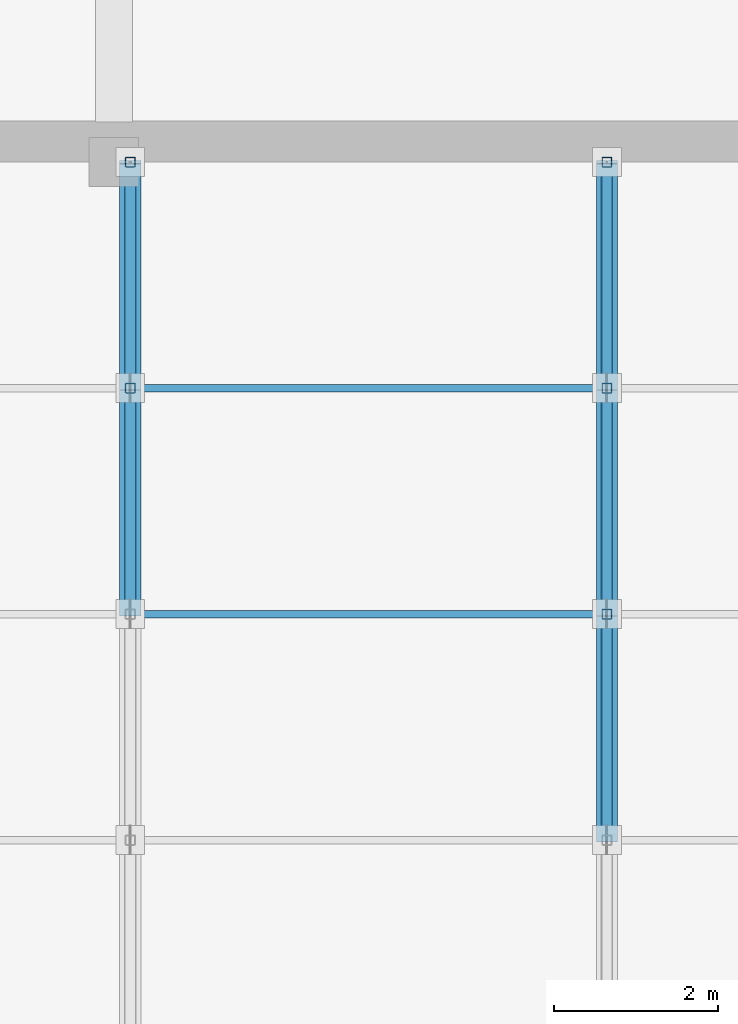
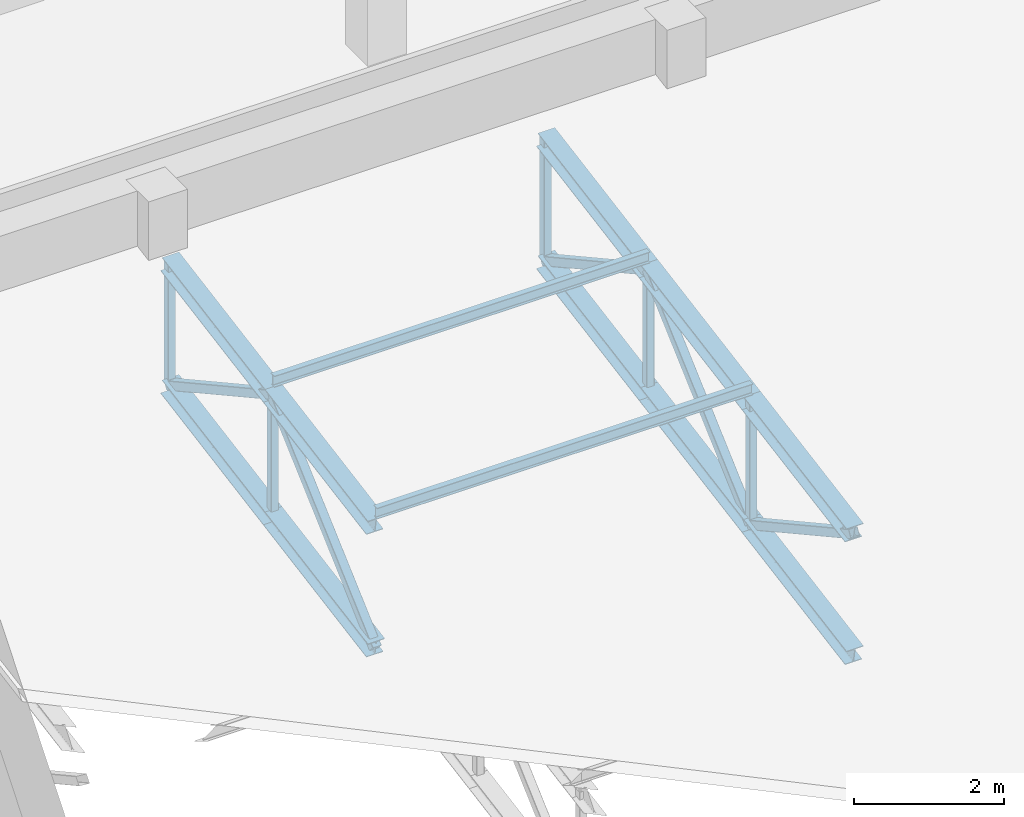
# One storey, part 18 of 132: 22 members.
"""IFC4 building model written with IfcOpenShell, lengths in metres."""

from ifc_helpers import new_model, si_unit, direction, frame, origin, origin_2d, place, context, subcontext, project, spatial, hollow_rectangle, i_section, extrude, material, material_profile, profile_set, type_object, element, save


model = new_model("IFC4")

# Units and contexts
model_context = context("Model", 3, precision=1e-05, world=origin(), true_north=direction((0.0, 1.0)))
body_context = subcontext(model_context, "Body", "Model", "MODEL_VIEW")
ifc_project = project(units=[si_unit("LENGTHUNIT", "METRE"), si_unit("AREAUNIT", "SQUARE_METRE"), si_unit("VOLUMEUNIT", "CUBIC_METRE"), si_unit("PLANEANGLEUNIT", "RADIAN"), si_unit("MASSUNIT", "GRAM", prefix="KILO")], contexts=[model_context])

# Site, building, storey
site_placement = place(None, origin())
site = spatial("IfcSite", under=ifc_project, at=site_placement, CompositionType="ELEMENT")
building_placement = place(site_placement, origin())
building = spatial("IfcBuilding", under=site, at=building_placement, Name="Lunette Opera House", CompositionType="ELEMENT")
storey_placement = place(building_placement, frame((0.0, 0.0, 17.0)))
storey = spatial("IfcBuildingStorey", under=building, at=storey_placement, Name="L03", CompositionType="ELEMENT", Elevation=17.0)

# Members
ifc_material_1 = material(Name="Steel S355", Category="steel")
ifc_material_profile_1 = material_profile(ifc_material_1, i_section(OverallWidth=0.260009765625, OverallDepth=0.25, WebThickness=0.007568359375, FlangeThickness=0.012451171875, FilletRadius=0.02392578125, at=origin_2d()), Name="HEA 260")
ifc_profile_set_1 = profile_set([ifc_material_profile_1], Name="Steel S355")
member_type_1 = type_object("IfcMemberType", Name="CHORD HEA 260", PredefinedType="CHORD", material=ifc_profile_set_1)
for number, where, z_axis, x_axis, name in (
    (1, (16.199951171875, 82.5, 3.2041015625), (0.0, 0.984809952442, 0.173635703618), (-1.0, 0.0, 0.0), "mem-RW-L03-RW-TR02-TC7"),
    (2, (16.199951171875, 82.5, 1.2041015625), (0.0, 0.984809952442, 0.173635703618), (-1.0, 0.0, 0.0), "mem-RW-L03-RW-TR02-BC7"),
    (3, (16.199951171875, 85.25, 3.68896484375), (0.0, 0.984794998673, 0.173720495593), (-1.0, 0.0, 0.0), "mem-RW-L03-RW-TR02-TC8"),
    (4, (16.199951171875, 85.25, 1.68896484375), (0.0, 0.984794998673, 0.173720495593), (-1.0, 0.0, 0.0), "mem-RW-L03-RW-TR02-BC8"),
    (5, (22.0, 79.75, 2.718994140625), (0.0, 0.984794998673, 0.173720495593), (-1.0, 0.0, 0.0), "mem-RW-L03-RW-TR03-TC6"),
    (6, (22.0, 79.75, 0.718994140625), (0.0, 0.984794998673, 0.173720495593), (-1.0, 0.0, 0.0), "mem-RW-L03-RW-TR03-BC6"),
    (7, (22.0, 82.5, 3.2041015625), (0.0, 0.984809952442, 0.173635703618), (-1.0, 0.0, 0.0), "mem-RW-L03-RW-TR03-TC7"),
    (8, (22.0, 82.5, 1.2041015625), (0.0, 0.984809952442, 0.173635703618), (-1.0, 0.0, 0.0), "mem-RW-L03-RW-TR03-BC7"),
    (9, (22.0, 85.25, 3.68896484375), (0.0, 0.984794998673, 0.173720495593), (-1.0, 0.0, 0.0), "mem-RW-L03-RW-TR03-TC8"),
    (10, (22.0, 85.25, 1.68896484375), (0.0, 0.984794998673, 0.173720495593), (-1.0, 0.0, 0.0), "mem-RW-L03-RW-TR03-BC8"),
):
    element("IfcMember", number, at=place(storey_placement, frame(where, z_axis=z_axis, x_axis=x_axis)), inside=storey, type_object=member_type_1, Name=name, PredefinedType="CHORD", context=body_context, shape_type="SweptSolid", body=[
        extrude(i_section(OverallWidth=0.260009765625, OverallDepth=0.25, WebThickness=0.007568359375, FlangeThickness=0.012451171875, FilletRadius=0.02392578125, at=origin_2d()), origin(), (0.0, 0.0, 1.0), 2.79248046875),
    ])
ifc_material_2 = material(Name="Steel S355", Category="steel")
ifc_material_profile_2 = material_profile(ifc_material_2, hollow_rectangle(XDim=0.139892578125, YDim=0.139892578125, WallThickness=0.006103515625, InnerFilletRadius=0.006103515625, OuterFilletRadius=0.011962890625, at=origin_2d()), Name="RHS 140X140X6")
ifc_profile_set_2 = profile_set([ifc_material_profile_2], Name="Steel S355")
member_type_2 = type_object("IfcMemberType", Name="DIAGONAL RHS 140X140X6", PredefinedType="BRACE", material=ifc_profile_set_2)
member_1_placement = place(storey_placement, frame((16.199951171875, 82.5, 1.2041015625), z_axis=(0.0, 0.741969451931, 0.670433689787), x_axis=(-1.0, 0.0, 0.0)))
element("IfcMember", 11, at=member_1_placement, inside=storey, type_object=member_type_2, Name="mem-RW-L03-RW-TR02-TD7", PredefinedType="BRACE", context=body_context, shape_type="SweptSolid", body=[
    extrude(hollow_rectangle(XDim=0.139892578125, YDim=0.139892578125, WallThickness=0.006103515625, InnerFilletRadius=0.006103515625, OuterFilletRadius=0.011962890625, at=origin_2d()), origin(), (0.0, 0.0, 1.0), 3.706298828125),
])
for number, where, z_axis, x_axis, name in (
    (12, (16.199951171875, 85.25, 3.68896484375), (0.0, 0.875893925299, -0.482503711513), (-1.0, 0.0, 0.0), "mem-RW-L03-RW-TR02-TD8"),
    (13, (22.0, 79.75, 2.718994140625), (0.0, 0.875893925299, -0.482503711513), (-1.0, 0.0, 0.0), "mem-RW-L03-RW-TR03-TD6"),
):
    element("IfcMember", number, at=place(storey_placement, frame(where, z_axis=z_axis, x_axis=x_axis)), inside=storey, type_object=member_type_2, Name=name, PredefinedType="BRACE", context=body_context, shape_type="SweptSolid", body=[
        extrude(hollow_rectangle(XDim=0.139892578125, YDim=0.139892578125, WallThickness=0.006103515625, InnerFilletRadius=0.006103515625, OuterFilletRadius=0.011962890625, at=origin_2d()), origin(), (0.0, 0.0, 1.0), 3.1396484375),
    ])
member_2_placement = place(storey_placement, frame((22.0, 82.5, 1.2041015625), z_axis=(0.0, 0.741969451931, 0.670433689787), x_axis=(-1.0, 0.0, 0.0)))
element("IfcMember", 14, at=member_2_placement, inside=storey, type_object=member_type_2, Name="mem-RW-L03-RW-TR03-TD7", PredefinedType="BRACE", context=body_context, shape_type="SweptSolid", body=[
    extrude(hollow_rectangle(XDim=0.139892578125, YDim=0.139892578125, WallThickness=0.006103515625, InnerFilletRadius=0.006103515625, OuterFilletRadius=0.011962890625, at=origin_2d()), origin(), (0.0, 0.0, 1.0), 3.706298828125),
])
member_3_placement = place(storey_placement, frame((22.0, 85.25, 3.68896484375), z_axis=(0.0, 0.875893925299, -0.482503711513), x_axis=(-1.0, 0.0, 0.0)))
element("IfcMember", 15, at=member_3_placement, inside=storey, type_object=member_type_2, Name="mem-RW-L03-RW-TR03-TD8", PredefinedType="BRACE", context=body_context, shape_type="SweptSolid", body=[
    extrude(hollow_rectangle(XDim=0.139892578125, YDim=0.139892578125, WallThickness=0.006103515625, InnerFilletRadius=0.006103515625, OuterFilletRadius=0.011962890625, at=origin_2d()), origin(), (0.0, 0.0, 1.0), 3.1396484375),
])
ifc_material_3 = material(Name="Steel S355", Category="steel")
ifc_material_profile_3 = material_profile(ifc_material_3, i_section(OverallWidth=0.091064453125, OverallDepth=0.179931640625, WebThickness=0.00537109375, FlangeThickness=0.008056640625, FilletRadius=0.009033203125, at=origin_2d()), Name="IPE 180")
ifc_profile_set_3 = profile_set([ifc_material_profile_3], Name="Steel S355")
member_type_3 = type_object("IfcMemberType", Name="PURLIN IPE 180", PredefinedType="PURLIN", material=ifc_profile_set_3)
for number, where, z_axis, x_axis, name in (
    (16, (16.199951171875, 82.5, 3.4189453125), (1.0, 0.0, 0.0), (0.0, 1.0, 0.0), "mem-RW-L03-RW-PU7-2"),
    (17, (16.199951171875, 85.25, 3.904052734375), (1.0, 0.0, 0.0), (0.0, 1.0, 0.0), "mem-RW-L03-RW-PU8-2"),
):
    element("IfcMember", number, at=place(storey_placement, frame(where, z_axis=z_axis, x_axis=x_axis)), inside=storey, type_object=member_type_3, Name=name, PredefinedType="PURLIN", context=body_context, shape_type="SweptSolid", body=[
        extrude(i_section(OverallWidth=0.091064453125, OverallDepth=0.179931640625, WebThickness=0.00537109375, FlangeThickness=0.008056640625, FilletRadius=0.009033203125, at=origin_2d()), origin(), (0.0, 0.0, 1.0), 5.800048828125),
    ])
ifc_material_4 = material(Name="Steel S355", Category="steel")
ifc_material_profile_4 = material_profile(ifc_material_4, hollow_rectangle(XDim=0.1201171875, YDim=0.1201171875, WallThickness=0.0048828125, InnerFilletRadius=0.0048828125, OuterFilletRadius=0.010009765625, at=origin_2d()), Name="RHS 120X120X5")
ifc_profile_set_4 = profile_set([ifc_material_profile_4], Name="Steel S355")
member_type_4 = type_object("IfcMemberType", Name="VERTICAL RHS 120X120X5", PredefinedType="POST", material=ifc_profile_set_4)
for number, where, z_axis, x_axis, name in (
    (18, (16.199951171875, 85.25, 1.68896484375), (0.0, 0.0, 1.0), (1.0, 0.0, 0.0), "mem-RW-L03-RW-TR02-TV8"),
    (19, (16.199951171875, 88.0, 2.174072265625), (0.0, 0.0, 1.0), (1.0, 0.0, 0.0), "mem-RW-L03-RW-TR02-TV9"),
    (20, (22.0, 82.5, 1.2041015625), (0.0, 0.0, 1.0), (1.0, 0.0, 0.0), "mem-RW-L03-RW-TR03-TV7"),
    (21, (22.0, 85.25, 1.68896484375), (0.0, 0.0, 1.0), (1.0, 0.0, 0.0), "mem-RW-L03-RW-TR03-TV8"),
    (22, (22.0, 88.0, 2.174072265625), (0.0, 0.0, 1.0), (1.0, 0.0, 0.0), "mem-RW-L03-RW-TR03-TV9"),
):
    element("IfcMember", number, at=place(storey_placement, frame(where, z_axis=z_axis, x_axis=x_axis)), inside=storey, type_object=member_type_4, Name=name, PredefinedType="POST", context=body_context, shape_type="SweptSolid", body=[
        extrude(hollow_rectangle(XDim=0.1201171875, YDim=0.1201171875, WallThickness=0.0048828125, InnerFilletRadius=0.0048828125, OuterFilletRadius=0.010009765625, at=origin_2d()), origin(), (0.0, 0.0, 1.0), 2.0),
    ])

save(model, "model.ifc")
